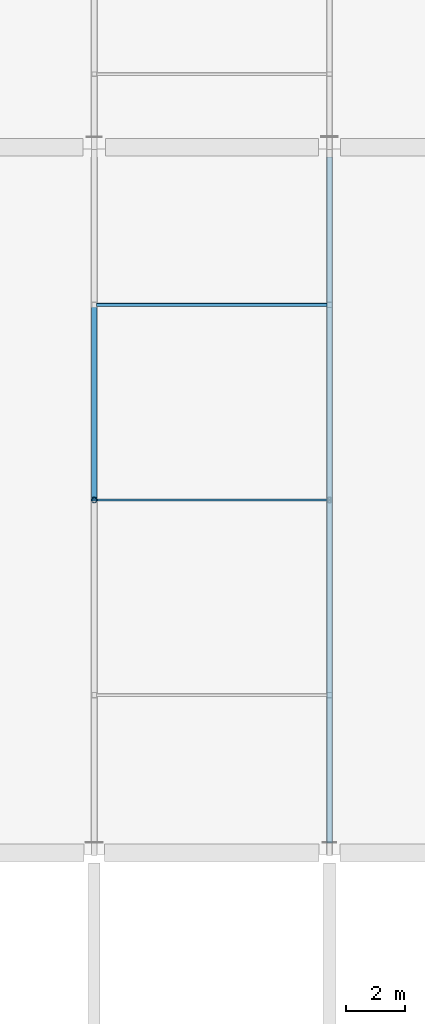
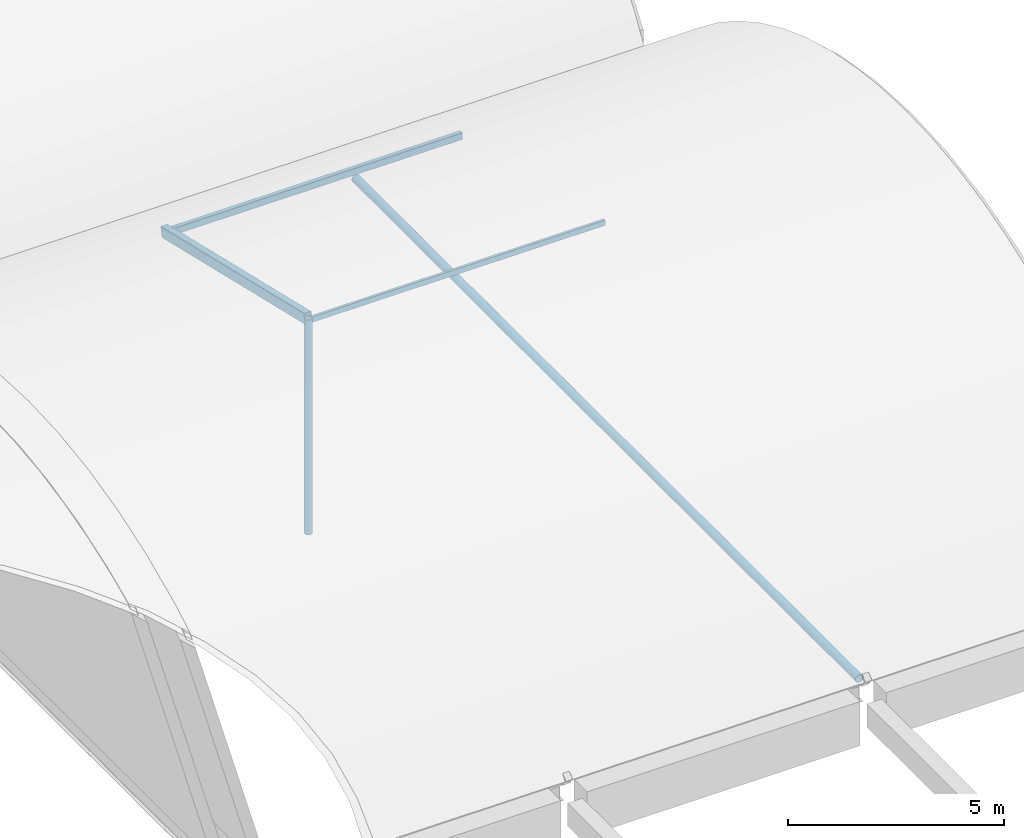
# One storey, part 9 of 57: 5 members.
"""IFC4 building model written with IfcOpenShell, lengths in metres."""

import ifcopenshell
import ifcopenshell.guid

model = None  # the IFC model being written
_history = None  # IfcOwnerHistory: only IFC2X3 demands one
_inside = {}  # id of a spatial element -> (the spatial element, [elements in it])
_under = {}  # id of a project, library or spatial element -> (it, [spatial elements below it])
_declared = {}  # id of a project -> (the project, [libraries it declares])
_typed = {}  # id of a type object -> (the type object, [elements of that type])
_made_of = {}  # id of a material, layer set ... -> (it, [elements and type objects made of it])


def new_model(schema):
    """Start an empty IFC model of exactly this schema.

    Asked for "IFC4X3", IfcOpenShell would pick the latest addendum, in which some entities
    have other attributes; the version numbers below select the first issue.
    IFC2X3 requires an IfcOwnerHistory on every rooted entity: one is made here for all.
    """
    global model, _history
    if schema == "IFC4X3":
        model = ifcopenshell.file(schema_version=(4, 3, 0, 0))
    else:
        model = ifcopenshell.file(schema=schema)
    _inside.clear()
    _under.clear()
    _declared.clear()
    _typed.clear()
    _made_of.clear()
    _history = None
    if model.schema == "IFC2X3":
        org = make("IfcOrganization", Name="unknown")
        user = make(
            "IfcPersonAndOrganization",
            ThePerson=make("IfcPerson", FamilyName="unknown"),
            TheOrganization=org,
        )
        app = make(
            "IfcApplication",
            ApplicationDeveloper=org,
            Version="unknown",
            ApplicationFullName="unknown",
            ApplicationIdentifier="unknown",
        )
        _history = make(
            "IfcOwnerHistory",
            OwningUser=user,
            OwningApplication=app,
            ChangeAction="ADDED",
            CreationDate=0,
        )
    return model


def make(cls, **values):
    """One entity of the class cls with the attributes given. An attribute that is None is left unset."""
    return model.create_entity(
        cls, **{name: value for name, value in values.items() if value is not None}
    )


def rooted(cls, **values):
    """An entity with a GlobalId (a new one), such as an element, a storey or a relation."""
    return make(cls, GlobalId=ifcopenshell.guid.new(), OwnerHistory=_history, **values)


def si_unit(unit_type, name, prefix=None):
    """IfcSIUnit, for example si_unit("LENGTHUNIT", "METRE", prefix="MILLI")."""
    return make("IfcSIUnit", UnitType=unit_type, Prefix=prefix, Name=name)


def assignment(units):
    """IfcUnitAssignment: the units of a project."""
    return None if units is None else make("IfcUnitAssignment", Units=units)


def point(xyz):
    """IfcCartesianPoint."""
    return None if xyz is None else make("IfcCartesianPoint", Coordinates=xyz)


def direction(xyz):
    """IfcDirection."""
    return None if xyz is None else make("IfcDirection", DirectionRatios=xyz)


def frame(location, z_axis=None, x_axis=None):
    """IfcAxis2Placement3D, a coordinate frame: its origin and axes. An axis left out is left unset."""
    return make(
        "IfcAxis2Placement3D",
        Location=point(location),
        Axis=direction(z_axis),
        RefDirection=direction(x_axis),
    )


def frame_2d(location, x_axis=None):
    """IfcAxis2Placement2D, a coordinate frame in the plane: its origin and x axis."""
    return make(
        "IfcAxis2Placement2D", Location=point(location), RefDirection=direction(x_axis)
    )


def origin():
    """The frame at (0, 0, 0) with its axes left unset."""
    return frame((0.0, 0.0, 0.0))


def origin_2d():
    """The frame at (0, 0) in the plane with its x axis left unset."""
    return frame_2d((0.0, 0.0))


def place(relative_to, where):
    """IfcLocalPlacement: puts the frame where relative to a parent placement (None: the world)."""
    return make(
        "IfcLocalPlacement", PlacementRelTo=relative_to, RelativePlacement=where
    )


def context(
    kind, dimensions, precision=None, world=None, true_north=None, identifier=None
):
    """IfcGeometricRepresentationContext, for example the 3D "Model" context."""
    return make(
        "IfcGeometricRepresentationContext",
        ContextIdentifier=identifier,
        ContextType=kind,
        CoordinateSpaceDimension=dimensions,
        Precision=precision,
        WorldCoordinateSystem=world,
        TrueNorth=true_north,
    )


def subcontext(parent, identifier, kind, view, scale=None):
    """IfcGeometricRepresentationSubContext, for example "Body" below "Model"."""
    return make(
        "IfcGeometricRepresentationSubContext",
        ContextIdentifier=identifier,
        ContextType=kind,
        ParentContext=parent,
        TargetScale=scale,
        TargetView=view,
    )


def project(units=None, contexts=None):
    """IfcProject with its units and contexts."""
    return rooted(
        "IfcProject",
        Name="project",
        RepresentationContexts=contexts,
        UnitsInContext=assignment(units),
    )


def spatial(cls, under=None, at=None, **own):
    """A site, building, storey or space (cls), placed at a placement, below another one or the project."""
    s = rooted(cls, ObjectPlacement=at, **own)
    if under is not None:
        _under.setdefault(under.id(), (under, []))[1].append(s)
    return s


def profile(cls, at=None, kind="AREA", **sizes):
    """A parametric profile (cls). Its sizes go by their IFC names, for example OverallWidth=200.0."""
    return make(cls, ProfileType=kind, Position=at, **sizes)


def hollow_rectangle(**sizes):
    """IfcRectangleHollowProfileDef."""
    return profile("IfcRectangleHollowProfileDef", **sizes)


def hollow_circle(**sizes):
    """IfcCircleHollowProfileDef."""
    return profile("IfcCircleHollowProfileDef", **sizes)


def extrude(swept, where, along, depth):
    """IfcExtrudedAreaSolid: the profile swept, set in the frame where, extruded along a direction by depth."""
    return make(
        "IfcExtrudedAreaSolid",
        SweptArea=swept,
        Position=where,
        ExtrudedDirection=direction(along),
        Depth=depth,
    )


def shape(context_of_items, identifier, shape_type, items):
    """IfcShapeRepresentation: the items that make up one representation, for example the "Body"."""
    return make(
        "IfcShapeRepresentation",
        ContextOfItems=context_of_items,
        RepresentationIdentifier=identifier,
        RepresentationType=shape_type,
        Items=items,
    )


def material(Name=None, Category=None):
    """IfcMaterial."""
    return make("IfcMaterial", Name=Name, Category=Category)


def material_profile(
    of_material, cross_section, Name=None, Category=None, Priority=None
):
    """IfcMaterialProfile: a cross section and its material."""
    return make(
        "IfcMaterialProfile",
        Name=Name,
        Material=of_material,
        Profile=cross_section,
        Priority=Priority,
        Category=Category,
    )


def profile_set(profiles, Name=None, composite=None):
    """IfcMaterialProfileSet."""
    return make(
        "IfcMaterialProfileSet",
        Name=Name,
        MaterialProfiles=profiles,
        CompositeProfile=composite,
    )


def made_of(thing, what):
    """Note that an element or type object is made of a material, layer set ...; save() writes the relation."""
    if what is not None:
        _made_of.setdefault(what.id(), (what, []))[1].append(thing)
    return thing


def type_object(cls, material=None, **own):
    """A type object (cls), such as IfcWallType, which elements share."""
    return made_of(rooted(cls, **own), material)


def element(
    cls,
    number,
    at=None,
    inside=None,
    cuts=None,
    type_object=None,
    material=None,
    context=None,
    identifier="Body",
    shape_type=None,
    held_by="IfcProductDefinitionShape",
    body=None,
    shapes=None,
    **own,
):
    """One element of the class cls, such as IfcWall. Its Tag is "e" and its number.

    at: its placement. inside: the storey or other place that contains it. cuts: it is an
    opening in that element (IfcRelVoidsElement). A single representation is given by context,
    identifier, shape_type and body (its items); several are given by shapes. held_by: the class
    of the entity that holds the representations. save() writes the other relations.
    """
    e = rooted(cls, Tag="e%d" % number, ObjectPlacement=at, **own)
    if body is not None:
        shapes = [shape(context, identifier, shape_type, body)]
    if shapes is not None:
        e.Representation = make(held_by, Representations=shapes)
    if inside is not None:
        _inside.setdefault(inside.id(), (inside, []))[1].append(e)
    if cuts is not None:
        rooted(
            "IfcRelVoidsElement", RelatingBuildingElement=cuts, RelatedOpeningElement=e
        )
    if type_object is not None:
        _typed.setdefault(type_object.id(), (type_object, []))[1].append(e)
    return made_of(e, material)


def aggregate(whole, parts):
    """IfcRelAggregates: a whole, such as a stair, and the parts it consists of."""
    return rooted("IfcRelAggregates", RelatingObject=whole, RelatedObjects=parts)


def save(model, path):
    """Write the relations noted so far, then the file.

    IfcRelAggregates (storeys below a building ...), IfcRelContainedInSpatialStructure (elements
    in a storey), IfcRelDefinesByType, IfcRelAssociatesMaterial and IfcRelDeclares: one each for
    every whole, place, type object, material and project.
    """
    for whole, parts in _under.values():
        aggregate(whole, parts)
    for where, things in _inside.values():
        rooted(
            "IfcRelContainedInSpatialStructure",
            RelatedElements=things,
            RelatingStructure=where,
        )
    for kind, things in _typed.values():
        rooted("IfcRelDefinesByType", RelatedObjects=things, RelatingType=kind)
    for what, things in _made_of.values():
        rooted("IfcRelAssociatesMaterial", RelatedObjects=things, RelatingMaterial=what)
    for by, libraries in _declared.values():
        rooted("IfcRelDeclares", RelatingContext=by, RelatedDefinitions=libraries)
    model.write(path)


model = new_model("IFC4")

# Units and contexts
model_context = context("Model", 3, precision=1e-05, world=origin(), true_north=direction((0.0, 1.0)))
body_context = subcontext(model_context, "Body", "Model", "MODEL_VIEW")
ifc_project = project(units=[si_unit("LENGTHUNIT", "METRE"), si_unit("AREAUNIT", "SQUARE_METRE"), si_unit("VOLUMEUNIT", "CUBIC_METRE"), si_unit("PLANEANGLEUNIT", "RADIAN"), si_unit("MASSUNIT", "GRAM", prefix="KILO"), si_unit("THERMODYNAMICTEMPERATUREUNIT", "KELVIN"), si_unit("POWERUNIT", "WATT")], contexts=[model_context])

# Site, building, storey
site_placement = place(None, origin())
site = spatial("IfcSite", under=ifc_project, at=site_placement, CompositionType="ELEMENT")
building_placement = place(site_placement, origin())
building = spatial("IfcBuilding", under=site, at=building_placement, Name="Kronsvod Quay Wholesale Market", CompositionType="ELEMENT")
storey_placement = place(building_placement, frame((0.0, 0.0, 13.199951171875)))
storey = spatial("IfcBuildingStorey", under=building, at=storey_placement, Name="L03", CompositionType="ELEMENT", Elevation=13.199951171875)

# Members
ifc_material_1 = material(Name="Steel S355", Category="steel")
ifc_material_profile_1 = material_profile(ifc_material_1, hollow_rectangle(XDim=0.199951171875, YDim=0.300048828125, WallThickness=0.011962890625, InnerFilletRadius=0.011962890625, OuterFilletRadius=0.02392578125, at=origin_2d()), Name="RHS300x200x12")
ifc_profile_set_1 = profile_set([ifc_material_profile_1], Name="Steel S355")
member_type_1 = type_object("IfcMemberType", Name="Member_Arch300x200", PredefinedType="RAFTER", material=ifc_profile_set_1)
member_1_placement = place(storey_placement, frame((72.0, 66.0, 5.840087890625), z_axis=(0.0, 0.973251166163, -0.229743699723), x_axis=(-1.0, 0.0, 0.0)))
element("IfcMember", 1, at=member_1_placement, inside=storey, type_object=member_type_1, Name="ARCG-SH-V1C-M-720-2", PredefinedType="RAFTER", context=body_context, shape_type="SweptSolid", body=[
    extrude(hollow_rectangle(XDim=0.199951171875, YDim=0.300048828125, WallThickness=0.011962890625, InnerFilletRadius=0.011962890625, OuterFilletRadius=0.02392578125, at=origin_2d()), origin(), (0.0, 0.0, 1.0), 6.819091796875),
])
ifc_material_2 = material(Name="Steel S355", Category="steel")
ifc_material_profile_2 = material_profile(ifc_material_2, hollow_circle(Radius=0.096923828125, WallThickness=0.008056640625, at=origin_2d()), Name="CHS194x8")
ifc_profile_set_2 = profile_set([ifc_material_profile_2], Name="Steel S355")
member_type_2 = type_object("IfcMemberType", Name="Member_Brace194x8", PredefinedType="BRACE", material=ifc_profile_set_2)
member_2_placement = place(storey_placement, frame((72.0, 66.0, -0.22998046875), z_axis=(0.0, 0.0, 1.0), x_axis=(1.0, 0.0, 0.0)))
element("IfcMember", 2, at=member_2_placement, inside=storey, type_object=member_type_2, Name="KPST-SH-V1C-M-720", PredefinedType="BRACE", context=body_context, shape_type="SweptSolid", body=[
    extrude(hollow_circle(Radius=0.096923828125, WallThickness=0.008056640625, at=origin_2d()), origin(), (0.0, 0.0, 1.0), 6.070068359375),
])
ifc_material_3 = material(Name="Steel S355", Category="steel")
ifc_material_profile_3 = material_profile(ifc_material_3, hollow_circle(Radius=0.109619140625, WallThickness=0.010009765625, at=origin_2d()), Name="CHS219x10")
ifc_profile_set_3 = profile_set([ifc_material_profile_3], Name="Steel S355")
member_type_3 = type_object("IfcMemberType", Name="Member_Chord219x10", PredefinedType="CHORD", material=ifc_profile_set_3)
member_3_placement = place(storey_placement, frame((80.0, 54.340087890625, -0.079833984375), z_axis=(0.0, 1.0, 0.0), x_axis=(-1.0, 0.0, 0.0)))
element("IfcMember", 3, at=member_3_placement, inside=storey, type_object=member_type_3, Name="CHDG-SH-V1C-M-800", PredefinedType="CHORD", context=body_context, shape_type="SweptSolid", body=[
    extrude(hollow_circle(Radius=0.109619140625, WallThickness=0.010009765625, at=origin_2d()), origin(), (0.0, 0.0, 1.0), 23.31982421875),
])
ifc_material_4 = material(Name="Steel S355", Category="steel")
ifc_material_profile_4 = material_profile(ifc_material_4, hollow_rectangle(XDim=0.1201171875, YDim=0.199951171875, WallThickness=0.008056640625, InnerFilletRadius=0.008056640625, OuterFilletRadius=0.01611328125, at=origin_2d()), Name="RHS200x120x8")
ifc_profile_set_4 = profile_set([ifc_material_profile_4], Name="Steel S355")
member_type_4 = type_object("IfcMemberType", Name="Member_Girt200x120", PredefinedType="PURLIN", material=ifc_profile_set_4)
member_4_placement = place(storey_placement, frame((72.080078125, 72.63671875, 4.21337890625), z_axis=(1.0, 0.0, 0.0), x_axis=(0.0, 1.0, 0.0)))
element("IfcMember", 4, at=member_4_placement, inside=storey, type_object=member_type_4, Name="PRLG-SH-V1C-M-0-2", PredefinedType="PURLIN", context=body_context, shape_type="SweptSolid", body=[
    extrude(hollow_rectangle(XDim=0.1201171875, YDim=0.199951171875, WallThickness=0.008056640625, InnerFilletRadius=0.008056640625, OuterFilletRadius=0.01611328125, at=origin_2d()), origin(), (0.0, 0.0, 1.0), 7.83984375),
])
ifc_material_5 = material(Name="Steel S355", Category="steel")
ifc_material_profile_5 = material_profile(ifc_material_5, hollow_rectangle(XDim=0.080078125, YDim=0.159912109375, WallThickness=0.006103515625, InnerFilletRadius=0.006103515625, OuterFilletRadius=0.011962890625, at=origin_2d()), Name="RHS160x80x6")
ifc_profile_set_5 = profile_set([ifc_material_profile_5], Name="Steel S355")
member_type_5 = type_object("IfcMemberType", Name="Member_Purlin160x80", PredefinedType="PURLIN", material=ifc_profile_set_5)
member_5_placement = place(storey_placement, frame((72.080078125, 66.0, 5.780029296875), z_axis=(1.0, 0.0, 0.0), x_axis=(0.0, 1.0, 0.0)))
element("IfcMember", 5, at=member_5_placement, inside=storey, type_object=member_type_5, Name="PRLG-SH-V1C-M-0-1", PredefinedType="PURLIN", context=body_context, shape_type="SweptSolid", body=[
    extrude(hollow_rectangle(XDim=0.080078125, YDim=0.159912109375, WallThickness=0.006103515625, InnerFilletRadius=0.006103515625, OuterFilletRadius=0.011962890625, at=origin_2d()), origin(), (0.0, 0.0, 1.0), 7.83984375),
])

save(model, "model.ifc")
